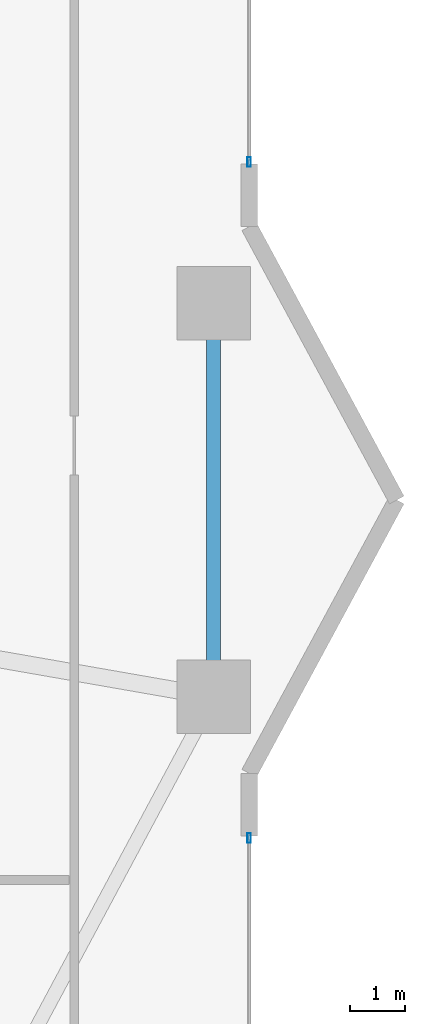
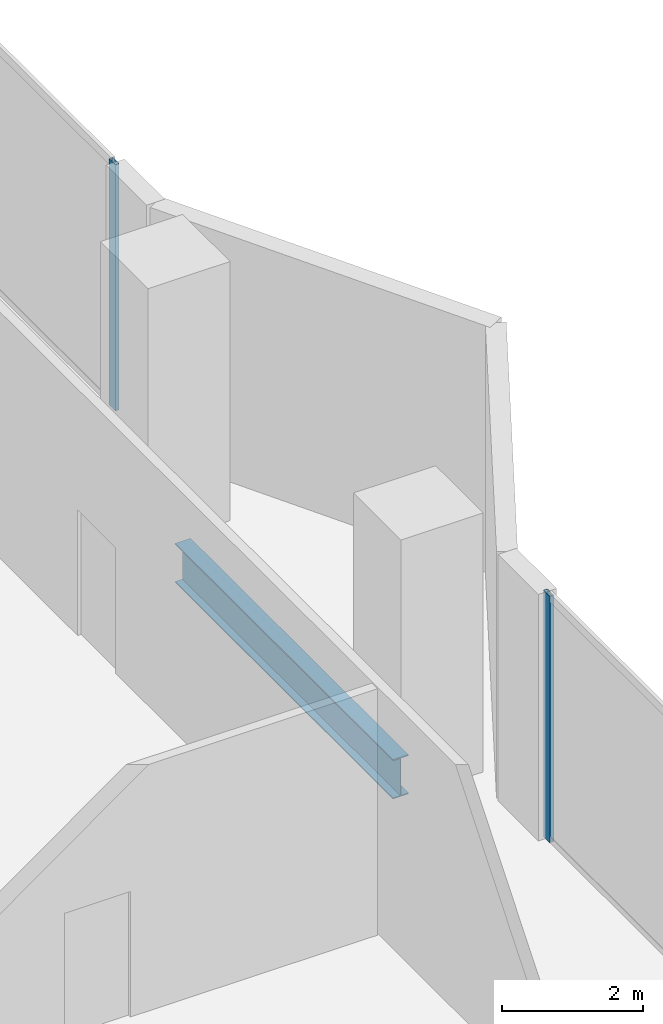
# One storey, part 16 of 33: 2 members, 1 beam, 2 elements without a shape of their own.
"""IFC4 building model written with IfcOpenShell, lengths in metres."""

from ifc_helpers import new_model, si_unit, direction, frame, origin, origin_2d, place, context, subcontext, project, spatial, hollow_rectangle, i_section, extrude, material, layer, layer_set, material_profile, profile_set, type_object, element, aggregate, save


model = new_model("IFC4")

# Units and contexts
model_context = context("Model", 3, precision=1e-05, world=origin(), true_north=direction((0.0, 1.0)))
body_context = subcontext(model_context, "Body", "Model", "MODEL_VIEW")
ifc_project = project(units=[si_unit("LENGTHUNIT", "METRE"), si_unit("AREAUNIT", "SQUARE_METRE"), si_unit("VOLUMEUNIT", "CUBIC_METRE"), si_unit("PLANEANGLEUNIT", "RADIAN"), si_unit("MASSUNIT", "GRAM", prefix="KILO")], contexts=[model_context])

# Site, building, storey
site_placement = place(None, origin())
site = spatial("IfcSite", under=ifc_project, at=site_placement, CompositionType="ELEMENT")
building_placement = place(site_placement, origin())
building = spatial("IfcBuilding", under=site, at=building_placement, Name="Zuhayl Quay Hotel", CompositionType="ELEMENT")
storey_placement = place(building_placement, frame((0.0, 0.0, 154.050048828125)))
storey = spatial("IfcBuildingStorey", under=building, at=storey_placement, Name="L39", CompositionType="ELEMENT", Elevation=154.050048828125)

# Beam
ifc_material_1 = material(Name="Steel ASTM A992 Grade 50", Category="steel")
ifc_material_profile_1 = material_profile(ifc_material_1, i_section(OverallWidth=0.25390625, OverallDepth=0.68310546875, WebThickness=0.012451171875, FlangeThickness=0.018798828125, at=origin_2d()), Name="W27X94")
ifc_profile_set_1 = profile_set([ifc_material_profile_1], Name="Steel ASTM A992 Grade 50")
beam_type = type_object("IfcBeamType", Name="BM_B2_W27X94", PredefinedType="BEAM", material=ifc_profile_set_1)
beam_placement = place(storey_placement, frame((23.25, 3.39990234375, -0.5615234375), z_axis=(0.0, 1.0, 0.0), x_axis=(-1.0, 0.0, 0.0)))
element("IfcBeam", 1, at=beam_placement, inside=storey, type_object=beam_type, Name="L39 Floor Beam RG_L39_05", PredefinedType="BEAM", context=body_context, shape_type="SweptSolid", body=[
    extrude(i_section(OverallWidth=0.25390625, OverallDepth=0.68310546875, WebThickness=0.012451171875, FlangeThickness=0.018798828125, at=origin_2d()), origin(), (0.0, 0.0, 1.0), 6.2001953125),
])

# Curtain wall, member
ifc_material_2 = material(Name="Anodised Aluminium 6063-T6", Category="aluminium")
ifc_layer = layer(ifc_material_2, 0.179931640625, Name="Anodised Aluminium 6063-T6", Category="aluminium")
ifc_layer_set = layer_set([ifc_layer], Name="Anodised Aluminium 6063-T6")
curtain_wall_type = type_object("IfcCurtainWallType", Name="CW_SYS_Z2", PredefinedType="USERDEFINED", material=ifc_layer_set)
curtain_wall_1_placement = place(storey_placement, origin())
curtain_wall_1 = element("IfcCurtainWall", 2, at=curtain_wall_1_placement, inside=storey, type_object=curtain_wall_type, Name="L39 Curtain Wall ENV_L39_E11_CW1", ObjectType="UNITISED CURTAIN WALL", PredefinedType="USERDEFINED")
ifc_material_3 = material(Name="Black-anodised aluminium 6063-T6", Category="aluminium")
ifc_material_profile_2 = material_profile(ifc_material_3, hollow_rectangle(XDim=0.06494140625, YDim=0.179931640625, WallThickness=0.00341796875, at=origin_2d()), Name="ALU180X65")
ifc_profile_set_2 = profile_set([ifc_material_profile_2], Name="Black-anodised aluminium 6063-T6")
member_type = type_object("IfcMemberType", Name="MB_CW_MUL_180", PredefinedType="MULLION", material=ifc_profile_set_2)
member_1_placement = place(storey_placement, frame((23.89990234375, 12.6826171875, 0.0), z_axis=(0.0, 0.0, 1.0), x_axis=(1.0, 0.0, 0.0)))
member_1 = element("IfcMember", 3, at=member_1_placement, type_object=member_type, Name="CW-Z2 mullion 2", PredefinedType="MULLION", context=body_context, shape_type="SweptSolid", body=[
    extrude(hollow_rectangle(XDim=0.06494140625, YDim=0.179931640625, WallThickness=0.00341796875, at=origin_2d()), origin(), (0.0, 0.0, 1.0), 4.280029296875),
])
aggregate(curtain_wall_1, [member_1])

curtain_wall_2_placement = place(storey_placement, origin())
curtain_wall_2 = element("IfcCurtainWall", 4, at=curtain_wall_2_placement, inside=storey, type_object=curtain_wall_type, Name="L39 Curtain Wall ENV_L39_E14_CW1", ObjectType="UNITISED CURTAIN WALL", PredefinedType="USERDEFINED")
member_2_placement = place(storey_placement, frame((23.89990234375, 0.3173828125, 0.0), z_axis=(0.0, 0.0, 1.0), x_axis=(1.0, 0.0, 0.0)))
member_2 = element("IfcMember", 5, at=member_2_placement, type_object=member_type, Name="CW-Z2 mullion 1", PredefinedType="MULLION", context=body_context, shape_type="SweptSolid", body=[
    extrude(hollow_rectangle(XDim=0.06494140625, YDim=0.179931640625, WallThickness=0.00341796875, at=origin_2d()), origin(), (0.0, 0.0, 1.0), 4.280029296875),
])
aggregate(curtain_wall_2, [member_2])

save(model, "model.ifc")
